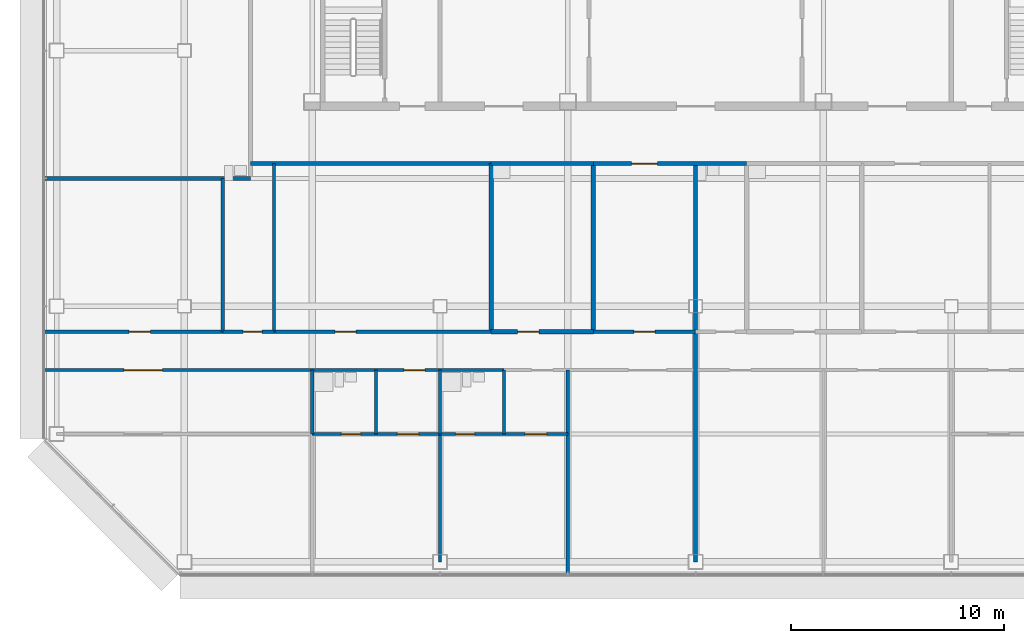
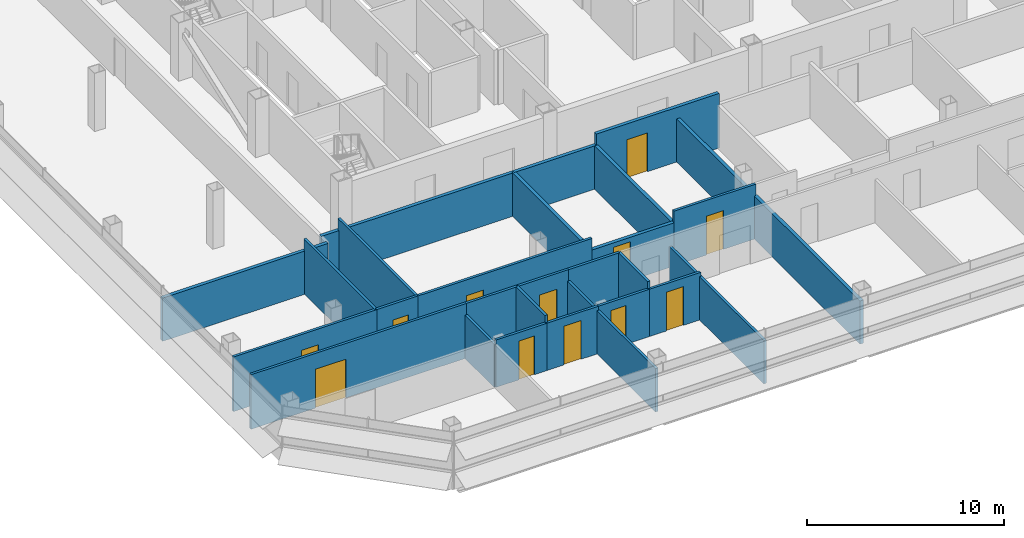
# One storey, part 19 of 26: 28 walls, 12 doors, 12 openings.
"""IFC4 building model written with IfcOpenShell, lengths in metres."""

from ifc_helpers import new_model, si_unit, direction, frame, frame_2d, origin, place, context, subcontext, project, spatial, rectangle, extrude, material, layer, layer_set, type_object, element, fill, save


model = new_model("IFC4")

# Units and contexts
model_context = context("Model", 3, precision=1e-05, world=origin(), true_north=direction((0.0, 1.0)))
body_context = subcontext(model_context, "Body", "Model", "MODEL_VIEW")
ifc_project = project(units=[si_unit("LENGTHUNIT", "METRE"), si_unit("AREAUNIT", "SQUARE_METRE"), si_unit("VOLUMEUNIT", "CUBIC_METRE"), si_unit("PLANEANGLEUNIT", "RADIAN"), si_unit("MASSUNIT", "GRAM", prefix="KILO")], contexts=[model_context])

# Site, building, storey
site_placement = place(None, origin())
site = spatial("IfcSite", under=ifc_project, at=site_placement, CompositionType="ELEMENT")
building_placement = place(site_placement, origin())
building = spatial("IfcBuilding", under=site, at=building_placement, Name="Sorahane Residences", CompositionType="ELEMENT")
storey_placement = place(building_placement, frame((0.0, 0.0, 158.199951171875)))
storey = spatial("IfcBuildingStorey", under=building, at=storey_placement, Name="L36", CompositionType="ELEMENT", Elevation=158.199951171875)

# Walls
ifc_material_1 = material(Name="Concrete blockwork C20 wall", Category="masonry")
ifc_layer_1 = layer(ifc_material_1, 0.199951171875)
ifc_layer_set_1 = layer_set([ifc_layer_1], Name="Corridor wall 200 EI 120")
wall_type_1 = type_object("IfcWallType", Name="Corridor wall 200 EI 120", PredefinedType="SOLIDWALL", material=ifc_layer_set_1)
wall_1_placement = place(storey_placement, frame((-6.60009765625, 18.0, 0.0), z_axis=(0.0, 0.0, 1.0), x_axis=(1.0, 0.0, 0.0)))
element("IfcWall", 1, at=wall_1_placement, inside=storey, type_object=wall_type_1, Name="L36 corridor wall", PredefinedType="SOLIDWALL", context=body_context, shape_type="SweptSolid", body=[
    extrude(rectangle(XDim=9.7001953125, YDim=0.199951171875, at=frame_2d((4.85009765625, 0.0))), origin(), (0.0, 0.0, 1.0), 2.679931640625),
])
wall_2_placement = place(storey_placement, frame((3.10009765625, 18.699951171875, 0.0), z_axis=(0.0, 0.0, 1.0), x_axis=(1.0, 0.0, 0.0)))
element("IfcWall", 2, at=wall_2_placement, inside=storey, type_object=wall_type_1, Name="L36 corridor wall", PredefinedType="SOLIDWALL", context=body_context, shape_type="SweptSolid", body=[
    extrude(rectangle(XDim=11.2998046875, YDim=0.199951171875, at=frame_2d((5.64990234375, 0.0))), origin(), (0.0, 0.0, 1.0), 2.679931640625),
])

# Wall, opening, door
wall_3_placement = place(storey_placement, frame((19.199951171875, 18.699951171875, 0.0), z_axis=(0.0, 0.0, 1.0), x_axis=(1.0, 0.0, 0.0)))
wall_3 = element("IfcWall", 3, at=wall_3_placement, inside=storey, type_object=wall_type_1, Name="L36 corridor wall", PredefinedType="SOLIDWALL", context=body_context, shape_type="SweptSolid", body=[
    extrude(rectangle(XDim=7.199951171875, YDim=0.199951171875, at=frame_2d((3.60009765625, 0.0))), origin(), (0.0, 0.0, 1.0), 3.380126953125),
])
opening_1_placement = place(wall_3_placement, frame((1.800048828125, 0.0, 0.0)))
opening_1 = element("IfcOpeningElement", 4, at=opening_1_placement, cuts=wall_3, Name="Opening L36-42", PredefinedType="OPENING", context=body_context, shape_type="SweptSolid", body=[
    extrude(rectangle(XDim=1.199951171875, YDim=2.39990234375, at=frame_2d((0.60009765625, 1.199951171875))), frame((0.0, 0.10986328125, 0.0), z_axis=(0.0, -1.0, 0.0), x_axis=(1.0, 0.0, 0.0)), (0.0, 0.0, 1.0), 0.219970703125),
])
ifc_material_2 = material(Name="Timber veneered fire door", Category="wood")
door_type_1 = type_object("IfcDoorType", Name="Flat entrance door 1200x2400 FD60", OperationType="NOTDEFINED", PredefinedType="DOOR", material=ifc_material_2)
door_1_placement = place(opening_1_placement, frame((1.199951171875, 0.0, 0.0), z_axis=(0.0, 0.0, 1.0), x_axis=(-1.0, 0.0, 0.0)))
door_1 = element("IfcDoor", 5, at=door_1_placement, inside=storey, type_object=door_type_1, Name="Flat entrance door L36-42", OperationType="SINGLE_SWING_LEFT", OverallHeight=2.39990234375, OverallWidth=1.199951171875, PredefinedType="DOOR", context=body_context, shape_type="SweptSolid", body=[
    extrude(rectangle(XDim=1.199951171875, YDim=2.39990234375, at=frame_2d((0.60009765625, 1.199951171875))), frame((0.0, 0.02490234375, 0.0), z_axis=(0.0, -1.0, 0.0), x_axis=(1.0, 0.0, 0.0)), (0.0, 0.0, 1.0), 0.050048828125),
])
fill(opening_1, door_1)

# Walls
ifc_material_3 = material(Name="Concrete blockwork C20 wall", Category="masonry")
ifc_layer_2 = layer(ifc_material_3, 0.199951171875)
ifc_layer_set_2 = layer_set([ifc_layer_2], Name="Kitchen wall 200 EI 180")
wall_type_2 = type_object("IfcWallType", Name="Kitchen wall 200 EI 180", PredefinedType="SOLIDWALL", material=ifc_layer_set_2)
for number, where, z_axis, x_axis, name in (
    (6, (14.39990234375, 10.800048828125, 0.0), (0.0, 0.0, 1.0), (0.0, 1.0, 0.0), "L36 kitchen wall"),
    (7, (19.199951171875, 10.800048828125, 0.0), (0.0, 0.0, 1.0), (0.0, 1.0, 0.0), "L36 kitchen wall"),
):
    element("IfcWall", number, at=place(storey_placement, frame(where, z_axis=z_axis, x_axis=x_axis)), inside=storey, type_object=wall_type_2, Name=name, PredefinedType="SOLIDWALL", context=body_context, shape_type="SweptSolid", body=[
        extrude(rectangle(XDim=7.89990234375, YDim=0.199951171875, at=frame_2d((3.949951171875, 0.0))), origin(), (0.0, 0.0, 1.0), 2.679931640625),
    ])

# Wall, opening, door
wall_4_placement = place(storey_placement, frame((14.39990234375, 10.800048828125, 0.0), z_axis=(0.0, 0.0, 1.0), x_axis=(1.0, 0.0, 0.0)))
wall_4 = element("IfcWall", 8, at=wall_4_placement, inside=storey, type_object=wall_type_2, Name="L36 kitchen wall", PredefinedType="SOLIDWALL", context=body_context, shape_type="SweptSolid", body=[
    extrude(rectangle(XDim=4.800048828125, YDim=0.199951171875, at=frame_2d((2.39990234375, 0.0))), origin(), (0.0, 0.0, 1.0), 2.679931640625),
])
opening_2_placement = place(wall_4_placement, frame((1.239990234375, 0.0, 0.0)))
opening_2 = element("IfcOpeningElement", 9, at=opening_2_placement, cuts=wall_4, Name="Opening L36-05", PredefinedType="OPENING", context=body_context, shape_type="SweptSolid", body=[
    extrude(rectangle(XDim=1.0, YDim=2.39990234375, at=frame_2d((0.5, 1.199951171875))), frame((0.0, 0.10986328125, 0.0), z_axis=(0.0, -1.0, 0.0), x_axis=(1.0, 0.0, 0.0)), (0.0, 0.0, 1.0), 0.219970703125),
])
ifc_material_4 = material(Name="Steel", Category="steel")
door_type_2 = type_object("IfcDoorType", Name="Kitchen door 1000x2400 FD120", OperationType="NOTDEFINED", PredefinedType="DOOR", material=ifc_material_4)
door_2_placement = place(opening_2_placement, origin())
door_2 = element("IfcDoor", 10, at=door_2_placement, inside=storey, type_object=door_type_2, Name="Kitchen door L36-05", OperationType="SINGLE_SWING_LEFT", OverallHeight=2.39990234375, OverallWidth=1.0, PredefinedType="DOOR", context=body_context, shape_type="SweptSolid", body=[
    extrude(rectangle(XDim=1.0, YDim=2.39990234375, at=frame_2d((0.5, 1.199951171875))), frame((0.0, 0.02490234375, 0.0), z_axis=(0.0, -1.0, 0.0), x_axis=(1.0, 0.0, 0.0)), (0.0, 0.0, 1.0), 0.050048828125),
])
fill(opening_2, door_2)

# Walls
wall_5_placement = place(storey_placement, frame((14.39990234375, 18.699951171875, 0.0), z_axis=(0.0, 0.0, 1.0), x_axis=(1.0, 0.0, 0.0)))
element("IfcWall", 11, at=wall_5_placement, inside=storey, type_object=wall_type_2, Name="L36 kitchen wall", PredefinedType="SOLIDWALL", context=body_context, shape_type="SweptSolid", body=[
    extrude(rectangle(XDim=4.800048828125, YDim=0.199951171875, at=frame_2d((2.39990234375, 0.0))), origin(), (0.0, 0.0, 1.0), 2.679931640625),
])
ifc_material_5 = material(Name="Gypsum board partition on steel studs", Category="steel")
ifc_layer_3 = layer(ifc_material_5, 0.14990234375)
ifc_layer_set_3 = layer_set([ifc_layer_3], Name="Partition 150 EI 90")
wall_type_3 = type_object("IfcWallType", Name="Partition 150 EI 90", PredefinedType="PARTITIONING", material=ifc_layer_set_3)
wall_6_placement = place(storey_placement, frame((12.0, 0.0, 0.0), z_axis=(0.0, 0.0, 1.0), x_axis=(0.0, 1.0, 0.0)))
element("IfcWall", 12, at=wall_6_placement, inside=storey, type_object=wall_type_3, Name="L36 partition", PredefinedType="PARTITIONING", context=body_context, shape_type="SweptSolid", body=[
    extrude(rectangle(XDim=6.0, YDim=0.14990234375, at=frame_2d((3.0, 0.0))), origin(), (0.0, 0.0, 1.0), 2.679931640625),
])
wall_7_placement = place(storey_placement, frame((18.0, -0.60009765625, 0.0), z_axis=(0.0, 0.0, 1.0), x_axis=(0.0, 1.0, 0.0)))
element("IfcWall", 13, at=wall_7_placement, inside=storey, type_object=wall_type_3, Name="L36 partition", PredefinedType="PARTITIONING", context=body_context, shape_type="SweptSolid", body=[
    extrude(rectangle(XDim=9.60009765625, YDim=0.14990234375, at=frame_2d((4.800048828125, 0.0))), origin(), (0.0, 0.0, 1.0), 2.679931640625),
])

# Wall, opening, door
wall_8_placement = place(storey_placement, frame((-6.60009765625, 10.800048828125, 0.0), z_axis=(0.0, 0.0, 1.0), x_axis=(1.0, 0.0, 0.0)))
wall_8 = element("IfcWall", 14, at=wall_8_placement, inside=storey, type_object=wall_type_3, Name="L36 partition", PredefinedType="PARTITIONING", context=body_context, shape_type="SweptSolid", body=[
    extrude(rectangle(XDim=8.400146484375, YDim=0.14990234375, at=frame_2d((4.2001953125, 0.0))), origin(), (0.0, 0.0, 1.0), 3.380126953125),
])
opening_3_placement = place(wall_8_placement, frame((4.0, 0.0, 0.0)))
opening_3 = element("IfcOpeningElement", 15, at=opening_3_placement, cuts=wall_8, Name="Opening L36-02", PredefinedType="OPENING", context=body_context, shape_type="SweptSolid", body=[
    extrude(rectangle(XDim=1.0, YDim=2.39990234375, at=frame_2d((0.5, 1.199951171875))), frame((0.0, 0.0849609375, 0.0), z_axis=(0.0, -1.0, 0.0), x_axis=(1.0, 0.0, 0.0)), (0.0, 0.0, 1.0), 0.169921875),
])
ifc_material_6 = material(Name="Timber veneered fire door", Category="wood")
door_type_3 = type_object("IfcDoorType", Name="Room door 1000x2400 FD30", OperationType="NOTDEFINED", PredefinedType="DOOR", material=ifc_material_6)
door_3_placement = place(opening_3_placement, origin())
door_3 = element("IfcDoor", 16, at=door_3_placement, inside=storey, type_object=door_type_3, Name="Room door L36-02", OperationType="SINGLE_SWING_LEFT", OverallHeight=2.39990234375, OverallWidth=1.0, PredefinedType="DOOR", context=body_context, shape_type="SweptSolid", body=[
    extrude(rectangle(XDim=1.0, YDim=2.39990234375, at=frame_2d((0.5, 1.199951171875))), frame((0.0, 0.02490234375, 0.0), z_axis=(0.0, -1.0, 0.0), x_axis=(1.0, 0.0, 0.0)), (0.0, 0.0, 1.0), 0.050048828125),
])
fill(opening_3, door_3)

wall_9_placement = place(storey_placement, frame((4.199951171875, 10.800048828125, 0.0), z_axis=(0.0, 0.0, 1.0), x_axis=(1.0, 0.0, 0.0)))
wall_9 = element("IfcWall", 17, at=wall_9_placement, inside=storey, type_object=wall_type_3, Name="L36 partition", PredefinedType="PARTITIONING", context=body_context, shape_type="SweptSolid", body=[
    extrude(rectangle(XDim=10.199951171875, YDim=0.14990234375, at=frame_2d((5.10009765625, 0.0))), origin(), (0.0, 0.0, 1.0), 3.380126953125),
])
opening_4_placement = place(wall_9_placement, frame((2.860107421875, 0.0, 0.0)))
opening_4 = element("IfcOpeningElement", 18, at=opening_4_placement, cuts=wall_9, Name="Opening L36-04", PredefinedType="OPENING", context=body_context, shape_type="SweptSolid", body=[
    extrude(rectangle(XDim=1.0, YDim=2.39990234375, at=frame_2d((0.5, 1.199951171875))), frame((0.0, 0.0849609375, 0.0), z_axis=(0.0, -1.0, 0.0), x_axis=(1.0, 0.0, 0.0)), (0.0, 0.0, 1.0), 0.169921875),
])
door_4_placement = place(opening_4_placement, origin())
door_4 = element("IfcDoor", 19, at=door_4_placement, inside=storey, type_object=door_type_3, Name="Room door L36-04", OperationType="SINGLE_SWING_LEFT", OverallHeight=2.39990234375, OverallWidth=1.0, PredefinedType="DOOR", context=body_context, shape_type="SweptSolid", body=[
    extrude(rectangle(XDim=1.0, YDim=2.39990234375, at=frame_2d((0.5, 1.199951171875))), frame((0.0, 0.02490234375, 0.0), z_axis=(0.0, -1.0, 0.0), x_axis=(1.0, 0.0, 0.0)), (0.0, 0.0, 1.0), 0.050048828125),
])
fill(opening_4, door_4)

wall_10_placement = place(storey_placement, frame((19.199951171875, 10.800048828125, 0.0), z_axis=(0.0, 0.0, 1.0), x_axis=(1.0, 0.0, 0.0)))
wall_10 = element("IfcWall", 20, at=wall_10_placement, inside=storey, type_object=wall_type_3, Name="L36 partition", PredefinedType="PARTITIONING", context=body_context, shape_type="SweptSolid", body=[
    extrude(rectangle(XDim=4.800048828125, YDim=0.14990234375, at=frame_2d((2.39990234375, 0.0))), origin(), (0.0, 0.0, 1.0), 3.380126953125),
])
opening_5_placement = place(wall_10_placement, frame((1.89990234375, 0.0, 0.0)))
opening_5 = element("IfcOpeningElement", 21, at=opening_5_placement, cuts=wall_10, Name="Opening L36-01", PredefinedType="OPENING", context=body_context, shape_type="SweptSolid", body=[
    extrude(rectangle(XDim=1.0, YDim=2.39990234375, at=frame_2d((0.5, 1.199951171875))), frame((0.0, 0.0849609375, 0.0), z_axis=(0.0, -1.0, 0.0), x_axis=(1.0, 0.0, 0.0)), (0.0, 0.0, 1.0), 0.169921875),
])
door_5_placement = place(opening_5_placement, frame((1.0, 0.0, 0.0), z_axis=(0.0, 0.0, 1.0), x_axis=(-1.0, 0.0, 0.0)))
door_5 = element("IfcDoor", 22, at=door_5_placement, inside=storey, type_object=door_type_3, Name="Room door L36-01", OperationType="SINGLE_SWING_LEFT", OverallHeight=2.39990234375, OverallWidth=1.0, PredefinedType="DOOR", context=body_context, shape_type="SweptSolid", body=[
    extrude(rectangle(XDim=1.0, YDim=2.39990234375, at=frame_2d((0.5, 1.199951171875))), frame((0.0, 0.02490234375, 0.0), z_axis=(0.0, -1.0, 0.0), x_axis=(1.0, 0.0, 0.0)), (0.0, 0.0, 1.0), 0.050048828125),
])
fill(opening_5, door_5)

wall_11_placement = place(storey_placement, frame((9.0, 6.0, 0.0), z_axis=(0.0, 0.0, 1.0), x_axis=(1.0, 0.0, 0.0)))
wall_11 = element("IfcWall", 23, at=wall_11_placement, inside=storey, type_object=wall_type_3, Name="L36 partition", PredefinedType="PARTITIONING", context=body_context, shape_type="SweptSolid", body=[
    extrude(rectangle(XDim=3.0, YDim=0.14990234375, at=frame_2d((1.5, 0.0))), origin(), (0.0, 0.0, 1.0), 2.929931640625),
])
opening_6_placement = place(wall_11_placement, frame((1.0, 0.0, 0.0)))
opening_6 = element("IfcOpeningElement", 24, at=opening_6_placement, cuts=wall_11, Name="Opening L36-11", PredefinedType="OPENING", context=body_context, shape_type="SweptSolid", body=[
    extrude(rectangle(XDim=1.0, YDim=2.39990234375, at=frame_2d((0.5, 1.199951171875))), frame((0.0, 0.0849609375, 0.0), z_axis=(0.0, -1.0, 0.0), x_axis=(1.0, 0.0, 0.0)), (0.0, 0.0, 1.0), 0.169921875),
])
door_6_placement = place(opening_6_placement, frame((1.0, 0.0, 0.0), z_axis=(0.0, 0.0, 1.0), x_axis=(-1.0, 0.0, 0.0)))
door_6 = element("IfcDoor", 25, at=door_6_placement, inside=storey, type_object=door_type_3, Name="Room door L36-11", OperationType="SINGLE_SWING_LEFT", OverallHeight=2.39990234375, OverallWidth=1.0, PredefinedType="DOOR", context=body_context, shape_type="SweptSolid", body=[
    extrude(rectangle(XDim=1.0, YDim=2.39990234375, at=frame_2d((0.5, 1.199951171875))), frame((0.0, 0.02490234375, 0.0), z_axis=(0.0, -1.0, 0.0), x_axis=(1.0, 0.0, 0.0)), (0.0, 0.0, 1.0), 0.050048828125),
])
fill(opening_6, door_6)

wall_12_placement = place(storey_placement, frame((15.0, 6.0, 0.0), z_axis=(0.0, 0.0, 1.0), x_axis=(1.0, 0.0, 0.0)))
wall_12 = element("IfcWall", 26, at=wall_12_placement, inside=storey, type_object=wall_type_3, Name="L36 partition", PredefinedType="PARTITIONING", context=body_context, shape_type="SweptSolid", body=[
    extrude(rectangle(XDim=3.0, YDim=0.14990234375, at=frame_2d((1.5, 0.0))), origin(), (0.0, 0.0, 1.0), 2.929931640625),
])
opening_7_placement = place(wall_12_placement, frame((1.0, 0.0, 0.0)))
opening_7 = element("IfcOpeningElement", 27, at=opening_7_placement, cuts=wall_12, Name="Opening L36-13", PredefinedType="OPENING", context=body_context, shape_type="SweptSolid", body=[
    extrude(rectangle(XDim=1.0, YDim=2.39990234375, at=frame_2d((0.5, 1.199951171875))), frame((0.0, 0.0849609375, 0.0), z_axis=(0.0, -1.0, 0.0), x_axis=(1.0, 0.0, 0.0)), (0.0, 0.0, 1.0), 0.169921875),
])
door_7_placement = place(opening_7_placement, frame((1.0, 0.0, 0.0), z_axis=(0.0, 0.0, 1.0), x_axis=(-1.0, 0.0, 0.0)))
door_7 = element("IfcDoor", 28, at=door_7_placement, inside=storey, type_object=door_type_3, Name="Room door L36-13", OperationType="SINGLE_SWING_LEFT", OverallHeight=2.39990234375, OverallWidth=1.0, PredefinedType="DOOR", context=body_context, shape_type="SweptSolid", body=[
    extrude(rectangle(XDim=1.0, YDim=2.39990234375, at=frame_2d((0.5, 1.199951171875))), frame((0.0, 0.02490234375, 0.0), z_axis=(0.0, -1.0, 0.0), x_axis=(1.0, 0.0, 0.0)), (0.0, 0.0, 1.0), 0.050048828125),
])
fill(opening_7, door_7)

wall_13_placement = place(storey_placement, frame((-6.60009765625, 9.0, 0.0), z_axis=(0.0, 0.0, 1.0), x_axis=(1.0, 0.0, 0.0)))
wall_13 = element("IfcWall", 29, at=wall_13_placement, inside=storey, type_object=wall_type_3, Name="L36 partition", PredefinedType="PARTITIONING", context=body_context, shape_type="SweptSolid", body=[
    extrude(rectangle(XDim=12.60009765625, YDim=0.14990234375, at=frame_2d((6.300048828125, 0.0))), origin(), (0.0, 0.0, 1.0), 3.380126953125),
])
opening_8_placement = place(wall_13_placement, frame((3.760009765625, 0.0, 0.0)))
opening_8 = element("IfcOpeningElement", 30, at=opening_8_placement, cuts=wall_13, Name="Opening L36-06", PredefinedType="OPENING", context=body_context, shape_type="SweptSolid", body=[
    extrude(rectangle(XDim=1.800048828125, YDim=2.39990234375, at=frame_2d((0.89990234375, 1.199951171875))), frame((0.0, 0.0849609375, 0.0), z_axis=(0.0, -1.0, 0.0), x_axis=(1.0, 0.0, 0.0)), (0.0, 0.0, 1.0), 0.169921875),
])
ifc_material_7 = material(Name="Timber veneered fire door", Category="wood")
door_type_4 = type_object("IfcDoorType", Name="Double door 1800x2400 FD30", OperationType="NOTDEFINED", PredefinedType="DOOR", material=ifc_material_7)
door_8_placement = place(opening_8_placement, frame((1.800048828125, 0.0, 0.0), z_axis=(0.0, 0.0, 1.0), x_axis=(-1.0, 0.0, 0.0)))
door_8 = element("IfcDoor", 31, at=door_8_placement, inside=storey, type_object=door_type_4, Name="Double door L36-06", OperationType="SINGLE_SWING_RIGHT", OverallHeight=2.39990234375, OverallWidth=1.800048828125, PredefinedType="DOOR", context=body_context, shape_type="SweptSolid", body=[
    extrude(rectangle(XDim=1.800048828125, YDim=2.39990234375, at=frame_2d((0.89990234375, 1.199951171875))), frame((0.0, 0.02490234375, 0.0), z_axis=(0.0, -1.0, 0.0), x_axis=(1.0, 0.0, 0.0)), (0.0, 0.0, 1.0), 0.050048828125),
])
fill(opening_8, door_8)

wall_14_placement = place(storey_placement, frame((9.0, 9.0, 0.0), z_axis=(0.0, 0.0, 1.0), x_axis=(1.0, 0.0, 0.0)))
wall_14 = element("IfcWall", 32, at=wall_14_placement, inside=storey, type_object=wall_type_3, Name="L36 partition", PredefinedType="PARTITIONING", context=body_context, shape_type="SweptSolid", body=[
    extrude(rectangle(XDim=3.0, YDim=0.14990234375, at=frame_2d((1.5, 0.0))), origin(), (0.0, 0.0, 1.0), 3.380126953125),
])
opening_9_placement = place(wall_14_placement, frame((1.300048828125, 0.0, 0.0)))
opening_9 = element("IfcOpeningElement", 33, at=opening_9_placement, cuts=wall_14, Name="Opening L36-07", PredefinedType="OPENING", context=body_context, shape_type="SweptSolid", body=[
    extrude(rectangle(XDim=1.0, YDim=2.39990234375, at=frame_2d((0.5, 1.199951171875))), frame((0.0, 0.0849609375, 0.0), z_axis=(0.0, -1.0, 0.0), x_axis=(1.0, 0.0, 0.0)), (0.0, 0.0, 1.0), 0.169921875),
])
door_9_placement = place(opening_9_placement, frame((1.0, 0.0, 0.0), z_axis=(0.0, 0.0, 1.0), x_axis=(-1.0, 0.0, 0.0)))
door_9 = element("IfcDoor", 34, at=door_9_placement, inside=storey, type_object=door_type_3, Name="Room door L36-07", OperationType="SINGLE_SWING_LEFT", OverallHeight=2.39990234375, OverallWidth=1.0, PredefinedType="DOOR", context=body_context, shape_type="SweptSolid", body=[
    extrude(rectangle(XDim=1.0, YDim=2.39990234375, at=frame_2d((0.5, 1.199951171875))), frame((0.0, 0.02490234375, 0.0), z_axis=(0.0, -1.0, 0.0), x_axis=(1.0, 0.0, 0.0)), (0.0, 0.0, 1.0), 0.050048828125),
])
fill(opening_9, door_9)

# Walls
ifc_material_8 = material(Name="Concrete blockwork C20 wall", Category="masonry")
ifc_layer_4 = layer(ifc_material_8, 0.199951171875)
ifc_layer_set_4 = layer_set([ifc_layer_4], Name="Party wall 200 EI 120")
wall_type_4 = type_object("IfcWallType", Name="Party wall 200 EI 120", PredefinedType="SOLIDWALL", material=ifc_layer_set_4)
wall_15_placement = place(storey_placement, frame((24.0, 0.0, 0.0), z_axis=(0.0, 0.0, 1.0), x_axis=(0.0, 1.0, 0.0)))
element("IfcWall", 35, at=wall_15_placement, inside=storey, type_object=wall_type_4, Name="L36 party wall", PredefinedType="SOLIDWALL", context=body_context, shape_type="SweptSolid", body=[
    extrude(rectangle(XDim=18.699951171875, YDim=0.199951171875, at=frame_2d((9.35009765625, 0.0))), origin(), (0.0, 0.0, 1.0), 2.679931640625),
])
ifc_material_9 = material(Name="Gypsum board partition on steel studs", Category="steel")
ifc_layer_5 = layer(ifc_material_9, 0.14990234375)
ifc_layer_set_5 = layer_set([ifc_layer_5], Name="Wet wall 150 EI 90")
wall_type_5 = type_object("IfcWallType", Name="Wet wall 150 EI 90", PredefinedType="PARTITIONING", material=ifc_layer_set_5)
wall_16_placement = place(storey_placement, frame((1.800048828125, 10.800048828125, 0.0), z_axis=(0.0, 0.0, 1.0), x_axis=(0.0, 1.0, 0.0)))
element("IfcWall", 36, at=wall_16_placement, inside=storey, type_object=wall_type_5, Name="L36 wet wall", PredefinedType="PARTITIONING", context=body_context, shape_type="SweptSolid", body=[
    extrude(rectangle(XDim=7.199951171875, YDim=0.14990234375, at=frame_2d((3.60009765625, 0.0))), origin(), (0.0, 0.0, 1.0), 3.380126953125),
])
wall_17_placement = place(storey_placement, frame((12.0, 6.0, 0.0), z_axis=(0.0, 0.0, 1.0), x_axis=(0.0, 1.0, 0.0)))
element("IfcWall", 37, at=wall_17_placement, inside=storey, type_object=wall_type_5, Name="L36 wet wall", PredefinedType="PARTITIONING", context=body_context, shape_type="SweptSolid", body=[
    extrude(rectangle(XDim=3.0, YDim=0.14990234375, at=frame_2d((1.5, 0.0))), origin(), (0.0, 0.0, 1.0), 2.679931640625),
])
wall_18_placement = place(storey_placement, frame((15.0, 6.0, 0.0), z_axis=(0.0, 0.0, 1.0), x_axis=(0.0, 1.0, 0.0)))
element("IfcWall", 38, at=wall_18_placement, inside=storey, type_object=wall_type_5, Name="L36 wet wall", PredefinedType="PARTITIONING", context=body_context, shape_type="SweptSolid", body=[
    extrude(rectangle(XDim=3.0, YDim=0.14990234375, at=frame_2d((1.5, 0.0))), origin(), (0.0, 0.0, 1.0), 3.380126953125),
])
wall_19_placement = place(storey_placement, frame((4.199951171875, 10.800048828125, 0.0), z_axis=(0.0, 0.0, 1.0), x_axis=(0.0, 1.0, 0.0)))
element("IfcWall", 39, at=wall_19_placement, inside=storey, type_object=wall_type_5, Name="L36 wet wall", PredefinedType="PARTITIONING", context=body_context, shape_type="SweptSolid", body=[
    extrude(rectangle(XDim=7.89990234375, YDim=0.14990234375, at=frame_2d((3.949951171875, 0.0))), origin(), (0.0, 0.0, 1.0), 3.380126953125),
])
wall_20_placement = place(storey_placement, frame((6.0, 6.0, 0.0), z_axis=(0.0, 0.0, 1.0), x_axis=(0.0, 1.0, 0.0)))
element("IfcWall", 40, at=wall_20_placement, inside=storey, type_object=wall_type_5, Name="L36 wet wall", PredefinedType="PARTITIONING", context=body_context, shape_type="SweptSolid", body=[
    extrude(rectangle(XDim=3.0, YDim=0.14990234375, at=frame_2d((1.5, 0.0))), origin(), (0.0, 0.0, 1.0), 2.679931640625),
])
wall_21_placement = place(storey_placement, frame((9.0, 6.0, 0.0), z_axis=(0.0, 0.0, 1.0), x_axis=(0.0, 1.0, 0.0)))
element("IfcWall", 41, at=wall_21_placement, inside=storey, type_object=wall_type_5, Name="L36 wet wall", PredefinedType="PARTITIONING", context=body_context, shape_type="SweptSolid", body=[
    extrude(rectangle(XDim=3.0, YDim=0.14990234375, at=frame_2d((1.5, 0.0))), origin(), (0.0, 0.0, 1.0), 3.380126953125),
])

# Wall, opening, door
wall_22_placement = place(storey_placement, frame((1.800048828125, 10.800048828125, 0.0), z_axis=(0.0, 0.0, 1.0), x_axis=(1.0, 0.0, 0.0)))
wall_22 = element("IfcWall", 42, at=wall_22_placement, inside=storey, type_object=wall_type_5, Name="L36 wet wall", PredefinedType="PARTITIONING", context=body_context, shape_type="SweptSolid", body=[
    extrude(rectangle(XDim=2.39990234375, YDim=0.14990234375, at=frame_2d((1.199951171875, 0.0))), origin(), (0.0, 0.0, 1.0), 3.380126953125),
])
opening_10_placement = place(wall_22_placement, frame((0.949951171875, 0.0, 0.0)))
opening_10 = element("IfcOpeningElement", 43, at=opening_10_placement, cuts=wall_22, Name="Opening L36-03", PredefinedType="OPENING", context=body_context, shape_type="SweptSolid", body=[
    extrude(rectangle(XDim=0.89990234375, YDim=2.39990234375, at=frame_2d((0.449951171875, 1.199951171875))), frame((0.0, 0.0849609375, 0.0), z_axis=(0.0, -1.0, 0.0), x_axis=(1.0, 0.0, 0.0)), (0.0, 0.0, 1.0), 0.169921875),
])
ifc_material_10 = material(Name="Timber veneered fire door", Category="wood")
door_type_5 = type_object("IfcDoorType", Name="Bathroom door 900x2400 FD30", OperationType="NOTDEFINED", PredefinedType="DOOR", material=ifc_material_10)
door_10_placement = place(opening_10_placement, frame((0.89990234375, 0.0, 0.0), z_axis=(0.0, 0.0, 1.0), x_axis=(-1.0, 0.0, 0.0)))
door_10 = element("IfcDoor", 44, at=door_10_placement, inside=storey, type_object=door_type_5, Name="Bathroom door L36-03", OperationType="SINGLE_SWING_RIGHT", OverallHeight=2.39990234375, OverallWidth=0.89990234375, PredefinedType="DOOR", context=body_context, shape_type="SweptSolid", body=[
    extrude(rectangle(XDim=0.89990234375, YDim=2.39990234375, at=frame_2d((0.449951171875, 1.199951171875))), frame((0.0, 0.02490234375, 0.0), z_axis=(0.0, -1.0, 0.0), x_axis=(1.0, 0.0, 0.0)), (0.0, 0.0, 1.0), 0.050048828125),
])
fill(opening_10, door_10)

wall_23_placement = place(storey_placement, frame((6.0, 6.0, 0.0), z_axis=(0.0, 0.0, 1.0), x_axis=(1.0, 0.0, 0.0)))
wall_23 = element("IfcWall", 45, at=wall_23_placement, inside=storey, type_object=wall_type_5, Name="L36 wet wall", PredefinedType="PARTITIONING", context=body_context, shape_type="SweptSolid", body=[
    extrude(rectangle(XDim=3.0, YDim=0.14990234375, at=frame_2d((1.5, 0.0))), origin(), (0.0, 0.0, 1.0), 2.929931640625),
])
opening_11_placement = place(wall_23_placement, frame((1.3701171875, 0.0, 0.0)))
opening_11 = element("IfcOpeningElement", 46, at=opening_11_placement, cuts=wall_23, Name="Opening L36-12", PredefinedType="OPENING", context=body_context, shape_type="SweptSolid", body=[
    extrude(rectangle(XDim=0.89990234375, YDim=2.39990234375, at=frame_2d((0.449951171875, 1.199951171875))), frame((0.0, 0.0849609375, 0.0), z_axis=(0.0, -1.0, 0.0), x_axis=(1.0, 0.0, 0.0)), (0.0, 0.0, 1.0), 0.169921875),
])
door_11_placement = place(opening_11_placement, frame((0.89990234375, 0.0, 0.0), z_axis=(0.0, 0.0, 1.0), x_axis=(-1.0, 0.0, 0.0)))
door_11 = element("IfcDoor", 47, at=door_11_placement, inside=storey, type_object=door_type_5, Name="Bathroom door L36-12", OperationType="SINGLE_SWING_RIGHT", OverallHeight=2.39990234375, OverallWidth=0.89990234375, PredefinedType="DOOR", context=body_context, shape_type="SweptSolid", body=[
    extrude(rectangle(XDim=0.89990234375, YDim=2.39990234375, at=frame_2d((0.449951171875, 1.199951171875))), frame((0.0, 0.02490234375, 0.0), z_axis=(0.0, -1.0, 0.0), x_axis=(1.0, 0.0, 0.0)), (0.0, 0.0, 1.0), 0.050048828125),
])
fill(opening_11, door_11)

wall_24_placement = place(storey_placement, frame((12.0, 6.0, 0.0), z_axis=(0.0, 0.0, 1.0), x_axis=(1.0, 0.0, 0.0)))
wall_24 = element("IfcWall", 48, at=wall_24_placement, inside=storey, type_object=wall_type_5, Name="L36 wet wall", PredefinedType="PARTITIONING", context=body_context, shape_type="SweptSolid", body=[
    extrude(rectangle(XDim=3.0, YDim=0.14990234375, at=frame_2d((1.5, 0.0))), origin(), (0.0, 0.0, 1.0), 2.929931640625),
])
opening_12_placement = place(wall_24_placement, frame((0.72998046875, 0.0, 0.0)))
opening_12 = element("IfcOpeningElement", 49, at=opening_12_placement, cuts=wall_24, Name="Opening L36-14", PredefinedType="OPENING", context=body_context, shape_type="SweptSolid", body=[
    extrude(rectangle(XDim=0.89990234375, YDim=2.39990234375, at=frame_2d((0.449951171875, 1.199951171875))), frame((0.0, 0.0849609375, 0.0), z_axis=(0.0, -1.0, 0.0), x_axis=(1.0, 0.0, 0.0)), (0.0, 0.0, 1.0), 0.169921875),
])
door_12_placement = place(opening_12_placement, frame((0.89990234375, 0.0, 0.0), z_axis=(0.0, 0.0, 1.0), x_axis=(-1.0, 0.0, 0.0)))
door_12 = element("IfcDoor", 50, at=door_12_placement, inside=storey, type_object=door_type_5, Name="Bathroom door L36-14", OperationType="SINGLE_SWING_LEFT", OverallHeight=2.39990234375, OverallWidth=0.89990234375, PredefinedType="DOOR", context=body_context, shape_type="SweptSolid", body=[
    extrude(rectangle(XDim=0.89990234375, YDim=2.39990234375, at=frame_2d((0.449951171875, 1.199951171875))), frame((0.0, 0.02490234375, 0.0), z_axis=(0.0, -1.0, 0.0), x_axis=(1.0, 0.0, 0.0)), (0.0, 0.0, 1.0), 0.050048828125),
])
fill(opening_12, door_12)

# Walls
for number, where, z_axis, x_axis, name in (
    (51, (6.0, 9.0, 0.0), (0.0, 0.0, 1.0), (1.0, 0.0, 0.0), "L36 wet wall"),
    (52, (12.0, 9.0, 0.0), (0.0, 0.0, 1.0), (1.0, 0.0, 0.0), "L36 wet wall"),
):
    element("IfcWall", number, at=place(storey_placement, frame(where, z_axis=z_axis, x_axis=x_axis)), inside=storey, type_object=wall_type_5, Name=name, PredefinedType="PARTITIONING", context=body_context, shape_type="SweptSolid", body=[
        extrude(rectangle(XDim=3.0, YDim=0.14990234375, at=frame_2d((1.5, 0.0))), origin(), (0.0, 0.0, 1.0), 3.380126953125),
    ])

save(model, "model.ifc")
